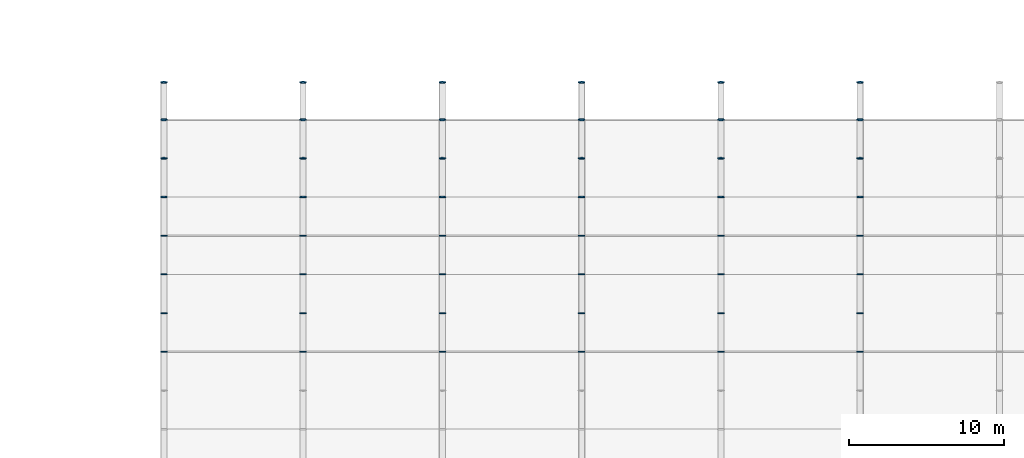
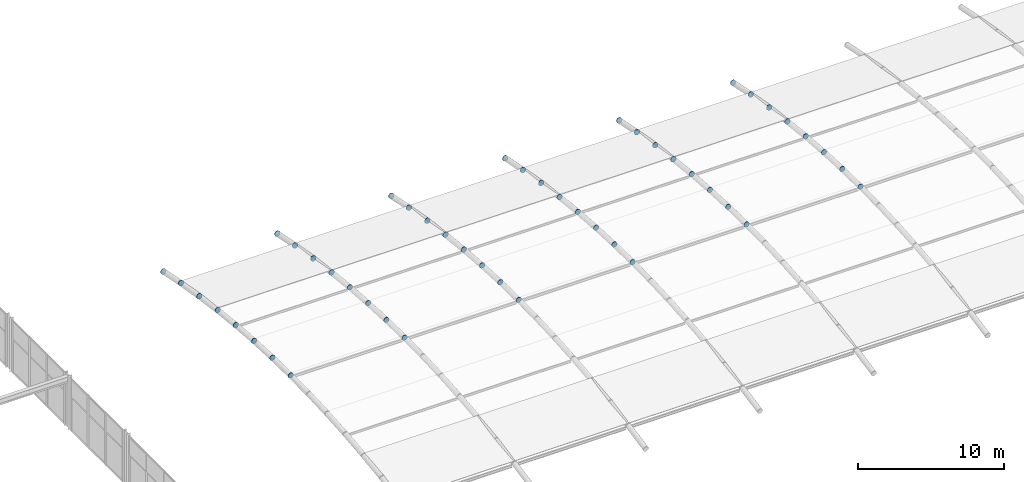
# One storey, part 80 of 105: 90 discrete accessories.
"""IFC4 building model written with IfcOpenShell, lengths in metres."""

from ifc_helpers import new_model, si_unit, direction, frame, origin, origin_2d, place, context, subcontext, project, spatial, circle, extrude, material, element, save


model = new_model("IFC4")

# Units and contexts
model_context = context("Model", 3, precision=1e-05, world=origin(), true_north=direction((0.0, 1.0)))
body_context = subcontext(model_context, "Body", "Model", "MODEL_VIEW")
ifc_project = project(units=[si_unit("LENGTHUNIT", "METRE"), si_unit("AREAUNIT", "SQUARE_METRE"), si_unit("VOLUMEUNIT", "CUBIC_METRE"), si_unit("PLANEANGLEUNIT", "RADIAN"), si_unit("MASSUNIT", "GRAM", prefix="KILO")], contexts=[model_context])

# Site, building, storey
site_placement = place(None, origin())
site = spatial("IfcSite", under=ifc_project, at=site_placement, CompositionType="ELEMENT")
building_placement = place(site_placement, origin())
building = spatial("IfcBuilding", under=site, at=building_placement, Name="Marlcrest Central Station", CompositionType="ELEMENT")
storey_placement = place(building_placement, frame((0.0, 0.0, 15.0)))
storey = spatial("IfcBuildingStorey", under=building, at=storey_placement, Name="L03", CompositionType="ELEMENT", Elevation=15.0)

# Discrete accessories
ifc_material = material(Name="Steel S355", Category="steel")
for number, where, z_axis, x_axis, name in (
    (1, (144.0, 65.97509765625, 1.799560546875), (0.0, 0.999879472592, 0.01552547228), (-1.0, 0.0, 0.0), "endcap-mem-AC-01-L03-01136-e"),
    (2, (144.0, 65.985107421875, 1.80029296875), (0.0, 0.999879472592, -0.01552547228), (-1.0, 0.0, 0.0), "endcap-mem-AC-01-L03-01140-s"),
    (3, (144.0, 68.47509765625, 1.76171875), (0.0, 0.999879472592, -0.01552547228), (-1.0, 0.0, 0.0), "endcap-mem-AC-01-L03-01140-e"),
    (4, (144.0, 68.485107421875, 1.761962890625), (0.0, 0.998921349185, -0.046434234591), (-1.0, 0.0, 0.0), "endcap-mem-AC-01-L03-01144-s"),
    (5, (144.0, 70.97509765625, 1.646240234375), (0.0, 0.998921349185, -0.046434234591), (-1.0, 0.0, 0.0), "endcap-mem-AC-01-L03-01144-e"),
    (6, (144.0, 70.985107421875, 1.646240234375), (0.0, 0.996999825732, -0.077403795064), (-1.0, 0.0, 0.0), "endcap-mem-AC-01-L03-01148-s"),
    (7, (144.0, 73.47509765625, 1.452880859375), (0.0, 0.996999825732, -0.077403795064), (-1.0, 0.0, 0.0), "endcap-mem-AC-01-L03-01148-e"),
    (8, (144.0, 73.485107421875, 1.45263671875), (0.0, 0.994155341034, -0.107959056565), (-1.0, 0.0, 0.0), "endcap-mem-AC-01-L03-01152-s"),
    (9, (144.0, 75.97509765625, 1.18212890625), (0.0, 0.994155341034, -0.107959056565), (-1.0, 0.0, 0.0), "endcap-mem-AC-01-L03-01152-e"),
    (10, (144.0, 75.985107421875, 1.181396484375), (0.0, 0.990402740232, -0.138211476152), (-1.0, 0.0, 0.0), "endcap-mem-AC-01-L03-01156-s"),
    (11, (144.0, 78.475341796875, 0.833984375), (0.0, 0.990402740232, -0.138211476152), (-1.0, 0.0, 0.0), "endcap-mem-AC-01-L03-01156-e"),
    (12, (144.0, 78.485107421875, 0.8330078125), (0.0, 0.98574109921, -0.168269086076), (-1.0, 0.0, 0.0), "endcap-mem-AC-01-L03-01160-s"),
    (13, (144.0, 80.975341796875, 0.407958984375), (0.0, 0.98574109921, -0.168269086076), (-1.0, 0.0, 0.0), "endcap-mem-AC-01-L03-01160-e"),
    (14, (144.0, 80.9853515625, 0.40673828125), (0.0, 0.980359417961, -0.197219196874), (-1.0, 0.0, 0.0), "endcap-mem-AC-01-L03-01164-s"),
    (15, (144.0, 83.3955078125, -0.078125), (0.0, 0.980359417961, -0.197219196874), (-1.0, 0.0, 0.0), "endcap-mem-AC-01-L03-01164-e"),
    (16, (153.0, 65.97509765625, 1.799560546875), (0.0, 0.999879472592, 0.01552547228), (-1.0, 0.0, 0.0), "endcap-mem-AC-01-L03-01252-e"),
    (17, (153.0, 65.985107421875, 1.80029296875), (0.0, 0.999879472592, -0.01552547228), (-1.0, 0.0, 0.0), "endcap-mem-AC-01-L03-01256-s"),
    (18, (153.0, 68.47509765625, 1.76171875), (0.0, 0.999879472592, -0.01552547228), (-1.0, 0.0, 0.0), "endcap-mem-AC-01-L03-01256-e"),
    (19, (153.0, 68.485107421875, 1.761962890625), (0.0, 0.998921349185, -0.046434234591), (-1.0, 0.0, 0.0), "endcap-mem-AC-01-L03-01260-s"),
    (20, (153.0, 70.97509765625, 1.646240234375), (0.0, 0.998921349185, -0.046434234591), (-1.0, 0.0, 0.0), "endcap-mem-AC-01-L03-01260-e"),
    (21, (153.0, 70.985107421875, 1.646240234375), (0.0, 0.996999825732, -0.077403795064), (-1.0, 0.0, 0.0), "endcap-mem-AC-01-L03-01264-s"),
    (22, (153.0, 73.47509765625, 1.452880859375), (0.0, 0.996999825732, -0.077403795064), (-1.0, 0.0, 0.0), "endcap-mem-AC-01-L03-01264-e"),
    (23, (153.0, 73.485107421875, 1.45263671875), (0.0, 0.994155341034, -0.107959056565), (-1.0, 0.0, 0.0), "endcap-mem-AC-01-L03-01268-s"),
    (24, (153.0, 75.97509765625, 1.18212890625), (0.0, 0.994155341034, -0.107959056565), (-1.0, 0.0, 0.0), "endcap-mem-AC-01-L03-01268-e"),
    (25, (153.0, 75.985107421875, 1.181396484375), (0.0, 0.990402740232, -0.138211476152), (-1.0, 0.0, 0.0), "endcap-mem-AC-01-L03-01272-s"),
    (26, (153.0, 78.475341796875, 0.833984375), (0.0, 0.990402740232, -0.138211476152), (-1.0, 0.0, 0.0), "endcap-mem-AC-01-L03-01272-e"),
    (27, (153.0, 78.485107421875, 0.8330078125), (0.0, 0.98574109921, -0.168269086076), (-1.0, 0.0, 0.0), "endcap-mem-AC-01-L03-01276-s"),
    (28, (153.0, 80.975341796875, 0.407958984375), (0.0, 0.98574109921, -0.168269086076), (-1.0, 0.0, 0.0), "endcap-mem-AC-01-L03-01276-e"),
    (29, (153.0, 80.9853515625, 0.40673828125), (0.0, 0.980359417961, -0.197219196874), (-1.0, 0.0, 0.0), "endcap-mem-AC-01-L03-01280-s"),
    (30, (153.0, 83.3955078125, -0.078125), (0.0, 0.980359417961, -0.197219196874), (-1.0, 0.0, 0.0), "endcap-mem-AC-01-L03-01280-e"),
    (31, (162.0, 65.97509765625, 1.799560546875), (0.0, 0.999879472592, 0.01552547228), (-1.0, 0.0, 0.0), "endcap-mem-AC-01-L03-01368-e"),
    (32, (162.0, 65.985107421875, 1.80029296875), (0.0, 0.999879472592, -0.01552547228), (-1.0, 0.0, 0.0), "endcap-mem-AC-01-L03-01372-s"),
    (33, (162.0, 68.47509765625, 1.76171875), (0.0, 0.999879472592, -0.01552547228), (-1.0, 0.0, 0.0), "endcap-mem-AC-01-L03-01372-e"),
    (34, (162.0, 68.485107421875, 1.761962890625), (0.0, 0.998921349185, -0.046434234591), (-1.0, 0.0, 0.0), "endcap-mem-AC-01-L03-01376-s"),
    (35, (162.0, 70.97509765625, 1.646240234375), (0.0, 0.998921349185, -0.046434234591), (-1.0, 0.0, 0.0), "endcap-mem-AC-01-L03-01376-e"),
    (36, (162.0, 70.985107421875, 1.646240234375), (0.0, 0.996999825732, -0.077403795064), (-1.0, 0.0, 0.0), "endcap-mem-AC-01-L03-01380-s"),
    (37, (162.0, 73.47509765625, 1.452880859375), (0.0, 0.996999825732, -0.077403795064), (-1.0, 0.0, 0.0), "endcap-mem-AC-01-L03-01380-e"),
    (38, (162.0, 73.485107421875, 1.45263671875), (0.0, 0.994155341034, -0.107959056565), (-1.0, 0.0, 0.0), "endcap-mem-AC-01-L03-01384-s"),
    (39, (162.0, 75.97509765625, 1.18212890625), (0.0, 0.994155341034, -0.107959056565), (-1.0, 0.0, 0.0), "endcap-mem-AC-01-L03-01384-e"),
    (40, (162.0, 75.985107421875, 1.181396484375), (0.0, 0.990402740232, -0.138211476152), (-1.0, 0.0, 0.0), "endcap-mem-AC-01-L03-01388-s"),
    (41, (162.0, 78.475341796875, 0.833984375), (0.0, 0.990402740232, -0.138211476152), (-1.0, 0.0, 0.0), "endcap-mem-AC-01-L03-01388-e"),
    (42, (162.0, 78.485107421875, 0.8330078125), (0.0, 0.98574109921, -0.168269086076), (-1.0, 0.0, 0.0), "endcap-mem-AC-01-L03-01392-s"),
    (43, (162.0, 80.975341796875, 0.407958984375), (0.0, 0.98574109921, -0.168269086076), (-1.0, 0.0, 0.0), "endcap-mem-AC-01-L03-01392-e"),
    (44, (162.0, 80.9853515625, 0.40673828125), (0.0, 0.980359417961, -0.197219196874), (-1.0, 0.0, 0.0), "endcap-mem-AC-01-L03-01396-s"),
    (45, (162.0, 83.3955078125, -0.078125), (0.0, 0.980359417961, -0.197219196874), (-1.0, 0.0, 0.0), "endcap-mem-AC-01-L03-01396-e"),
    (46, (171.0, 65.97509765625, 1.799560546875), (0.0, 0.999879472592, 0.01552547228), (-1.0, 0.0, 0.0), "endcap-mem-AC-01-L03-01484-e"),
    (47, (171.0, 65.985107421875, 1.80029296875), (0.0, 0.999879472592, -0.01552547228), (-1.0, 0.0, 0.0), "endcap-mem-AC-01-L03-01488-s"),
    (48, (171.0, 68.47509765625, 1.76171875), (0.0, 0.999879472592, -0.01552547228), (-1.0, 0.0, 0.0), "endcap-mem-AC-01-L03-01488-e"),
    (49, (171.0, 68.485107421875, 1.761962890625), (0.0, 0.998921349185, -0.046434234591), (-1.0, 0.0, 0.0), "endcap-mem-AC-01-L03-01492-s"),
    (50, (171.0, 70.97509765625, 1.646240234375), (0.0, 0.998921349185, -0.046434234591), (-1.0, 0.0, 0.0), "endcap-mem-AC-01-L03-01492-e"),
    (51, (171.0, 70.985107421875, 1.646240234375), (0.0, 0.996999825732, -0.077403795064), (-1.0, 0.0, 0.0), "endcap-mem-AC-01-L03-01496-s"),
    (52, (171.0, 73.47509765625, 1.452880859375), (0.0, 0.996999825732, -0.077403795064), (-1.0, 0.0, 0.0), "endcap-mem-AC-01-L03-01496-e"),
    (53, (171.0, 73.485107421875, 1.45263671875), (0.0, 0.994155341034, -0.107959056565), (-1.0, 0.0, 0.0), "endcap-mem-AC-01-L03-01500-s"),
    (54, (171.0, 75.97509765625, 1.18212890625), (0.0, 0.994155341034, -0.107959056565), (-1.0, 0.0, 0.0), "endcap-mem-AC-01-L03-01500-e"),
    (55, (171.0, 75.985107421875, 1.181396484375), (0.0, 0.990402740232, -0.138211476152), (-1.0, 0.0, 0.0), "endcap-mem-AC-01-L03-01504-s"),
    (56, (171.0, 78.475341796875, 0.833984375), (0.0, 0.990402740232, -0.138211476152), (-1.0, 0.0, 0.0), "endcap-mem-AC-01-L03-01504-e"),
    (57, (171.0, 78.485107421875, 0.8330078125), (0.0, 0.98574109921, -0.168269086076), (-1.0, 0.0, 0.0), "endcap-mem-AC-01-L03-01508-s"),
    (58, (171.0, 80.975341796875, 0.407958984375), (0.0, 0.98574109921, -0.168269086076), (-1.0, 0.0, 0.0), "endcap-mem-AC-01-L03-01508-e"),
    (59, (171.0, 80.9853515625, 0.40673828125), (0.0, 0.980359417961, -0.197219196874), (-1.0, 0.0, 0.0), "endcap-mem-AC-01-L03-01512-s"),
    (60, (171.0, 83.3955078125, -0.078125), (0.0, 0.980359417961, -0.197219196874), (-1.0, 0.0, 0.0), "endcap-mem-AC-01-L03-01512-e"),
    (61, (180.0, 65.97509765625, 1.799560546875), (0.0, 0.999879472592, 0.01552547228), (-1.0, 0.0, 0.0), "endcap-mem-AC-01-L03-01600-e"),
    (62, (180.0, 65.985107421875, 1.80029296875), (0.0, 0.999879472592, -0.01552547228), (-1.0, 0.0, 0.0), "endcap-mem-AC-01-L03-01604-s"),
    (63, (180.0, 68.47509765625, 1.76171875), (0.0, 0.999879472592, -0.01552547228), (-1.0, 0.0, 0.0), "endcap-mem-AC-01-L03-01604-e"),
    (64, (180.0, 68.485107421875, 1.761962890625), (0.0, 0.998921349185, -0.046434234591), (-1.0, 0.0, 0.0), "endcap-mem-AC-01-L03-01608-s"),
    (65, (180.0, 70.97509765625, 1.646240234375), (0.0, 0.998921349185, -0.046434234591), (-1.0, 0.0, 0.0), "endcap-mem-AC-01-L03-01608-e"),
    (66, (180.0, 70.985107421875, 1.646240234375), (0.0, 0.996999825732, -0.077403795064), (-1.0, 0.0, 0.0), "endcap-mem-AC-01-L03-01612-s"),
    (67, (180.0, 73.47509765625, 1.452880859375), (0.0, 0.996999825732, -0.077403795064), (-1.0, 0.0, 0.0), "endcap-mem-AC-01-L03-01612-e"),
    (68, (180.0, 73.485107421875, 1.45263671875), (0.0, 0.994155341034, -0.107959056565), (-1.0, 0.0, 0.0), "endcap-mem-AC-01-L03-01616-s"),
    (69, (180.0, 75.97509765625, 1.18212890625), (0.0, 0.994155341034, -0.107959056565), (-1.0, 0.0, 0.0), "endcap-mem-AC-01-L03-01616-e"),
    (70, (180.0, 75.985107421875, 1.181396484375), (0.0, 0.990402740232, -0.138211476152), (-1.0, 0.0, 0.0), "endcap-mem-AC-01-L03-01620-s"),
    (71, (180.0, 78.475341796875, 0.833984375), (0.0, 0.990402740232, -0.138211476152), (-1.0, 0.0, 0.0), "endcap-mem-AC-01-L03-01620-e"),
    (72, (180.0, 78.485107421875, 0.8330078125), (0.0, 0.98574109921, -0.168269086076), (-1.0, 0.0, 0.0), "endcap-mem-AC-01-L03-01624-s"),
    (73, (180.0, 80.975341796875, 0.407958984375), (0.0, 0.98574109921, -0.168269086076), (-1.0, 0.0, 0.0), "endcap-mem-AC-01-L03-01624-e"),
    (74, (180.0, 80.9853515625, 0.40673828125), (0.0, 0.980359417961, -0.197219196874), (-1.0, 0.0, 0.0), "endcap-mem-AC-01-L03-01628-s"),
    (75, (180.0, 83.3955078125, -0.078125), (0.0, 0.980359417961, -0.197219196874), (-1.0, 0.0, 0.0), "endcap-mem-AC-01-L03-01628-e"),
    (76, (189.0, 65.97509765625, 1.799560546875), (0.0, 0.999879472592, 0.01552547228), (-1.0, 0.0, 0.0), "endcap-mem-AC-01-L03-01716-e"),
    (77, (189.0, 65.985107421875, 1.80029296875), (0.0, 0.999879472592, -0.01552547228), (-1.0, 0.0, 0.0), "endcap-mem-AC-01-L03-01720-s"),
    (78, (189.0, 68.47509765625, 1.76171875), (0.0, 0.999879472592, -0.01552547228), (-1.0, 0.0, 0.0), "endcap-mem-AC-01-L03-01720-e"),
    (79, (189.0, 68.485107421875, 1.761962890625), (0.0, 0.998921349185, -0.046434234591), (-1.0, 0.0, 0.0), "endcap-mem-AC-01-L03-01724-s"),
    (80, (189.0, 70.97509765625, 1.646240234375), (0.0, 0.998921349185, -0.046434234591), (-1.0, 0.0, 0.0), "endcap-mem-AC-01-L03-01724-e"),
    (81, (189.0, 70.985107421875, 1.646240234375), (0.0, 0.996999825732, -0.077403795064), (-1.0, 0.0, 0.0), "endcap-mem-AC-01-L03-01728-s"),
    (82, (189.0, 73.47509765625, 1.452880859375), (0.0, 0.996999825732, -0.077403795064), (-1.0, 0.0, 0.0), "endcap-mem-AC-01-L03-01728-e"),
    (83, (189.0, 73.485107421875, 1.45263671875), (0.0, 0.994155341034, -0.107959056565), (-1.0, 0.0, 0.0), "endcap-mem-AC-01-L03-01732-s"),
    (84, (189.0, 75.97509765625, 1.18212890625), (0.0, 0.994155341034, -0.107959056565), (-1.0, 0.0, 0.0), "endcap-mem-AC-01-L03-01732-e"),
    (85, (189.0, 75.985107421875, 1.181396484375), (0.0, 0.990402740232, -0.138211476152), (-1.0, 0.0, 0.0), "endcap-mem-AC-01-L03-01736-s"),
    (86, (189.0, 78.475341796875, 0.833984375), (0.0, 0.990402740232, -0.138211476152), (-1.0, 0.0, 0.0), "endcap-mem-AC-01-L03-01736-e"),
    (87, (189.0, 78.485107421875, 0.8330078125), (0.0, 0.98574109921, -0.168269086076), (-1.0, 0.0, 0.0), "endcap-mem-AC-01-L03-01740-s"),
    (88, (189.0, 80.975341796875, 0.407958984375), (0.0, 0.98574109921, -0.168269086076), (-1.0, 0.0, 0.0), "endcap-mem-AC-01-L03-01740-e"),
    (89, (189.0, 80.9853515625, 0.40673828125), (0.0, 0.980359417961, -0.197219196874), (-1.0, 0.0, 0.0), "endcap-mem-AC-01-L03-01744-s"),
    (90, (189.0, 83.3955078125, -0.078125), (0.0, 0.980359417961, -0.197219196874), (-1.0, 0.0, 0.0), "endcap-mem-AC-01-L03-01744-e"),
):
    element("IfcDiscreteAccessory", number, at=place(storey_placement, frame(where, z_axis=z_axis, x_axis=x_axis)), inside=storey, material=ifc_material, Name=name, ObjectType="END_CAP_PLATE", PredefinedType="BRACKET", context=body_context, shape_type="SweptSolid", body=[
        extrude(circle(Radius=0.211181640625, at=origin_2d()), origin(), (0.0, 0.0, 1.0), 0.0400390625),
    ])

save(model, "model.ifc")
